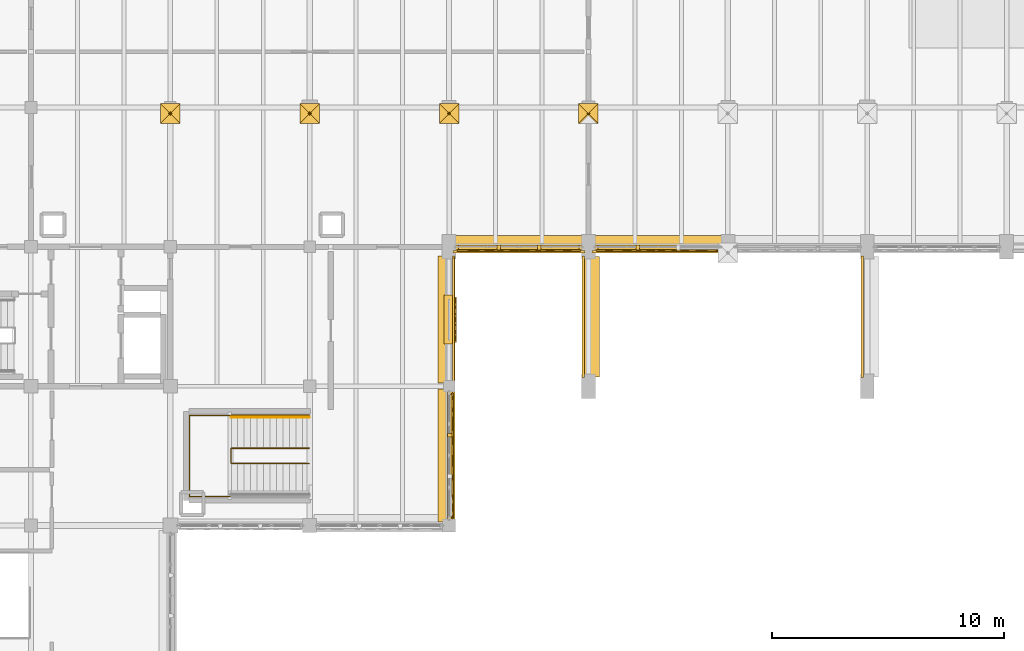
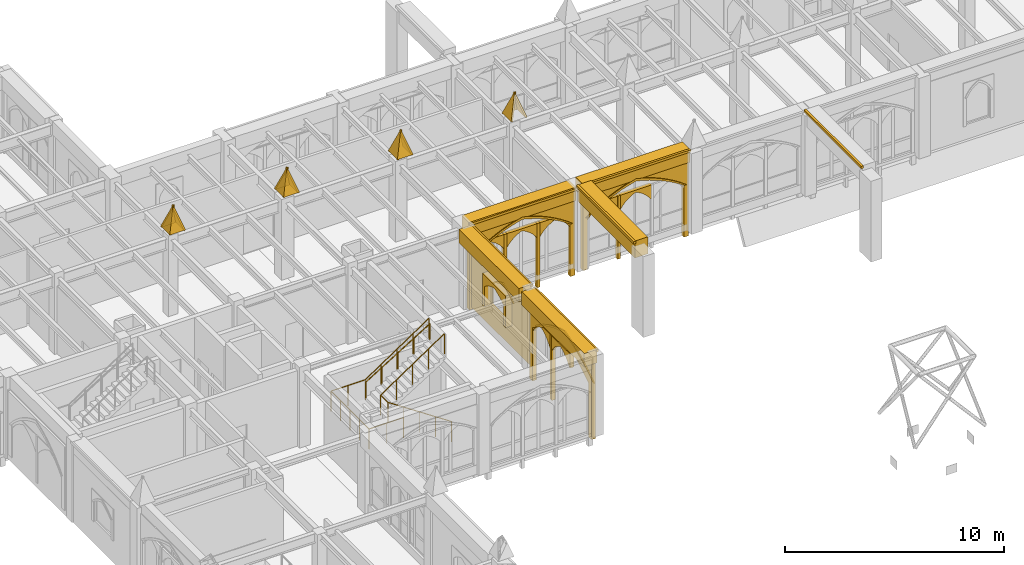
# One storey, part 130 of 143: 46 coverings, 4 railings.
"""IFC4 building model written with IfcOpenShell, lengths in metres."""

from ifc_helpers import new_model, si_unit, direction, frame, origin, origin_2d, place, context, subcontext, project, spatial, polyline, rectangle, circle, outline, extrude, material, type_object, element, save


model = new_model("IFC4")

# Units and contexts
model_context = context("Model", 3, precision=1e-05, world=origin(), true_north=direction((0.0, 1.0)))
body_context = subcontext(model_context, "Body", "Model", "MODEL_VIEW")
ifc_project = project(units=[si_unit("LENGTHUNIT", "METRE"), si_unit("AREAUNIT", "SQUARE_METRE"), si_unit("VOLUMEUNIT", "CUBIC_METRE"), si_unit("PLANEANGLEUNIT", "RADIAN"), si_unit("MASSUNIT", "GRAM", prefix="KILO")], contexts=[model_context])

# Site, building, storey
site_placement = place(None, origin())
site = spatial("IfcSite", under=ifc_project, at=site_placement, CompositionType="ELEMENT")
building_placement = place(site_placement, origin())
building = spatial("IfcBuilding", under=site, at=building_placement, Name="Cumevento Cable Car Station", CompositionType="ELEMENT")
storey_placement = place(building_placement, frame((0.0, 0.0, 9.0)))
storey = spatial("IfcBuildingStorey", under=building, at=storey_placement, Name="L03", CompositionType="ELEMENT", Elevation=9.0)

# Railings
ifc_material_1 = material(Name="Painted Galvanised Architectural Steel", Category="steel")
railing_type_1 = type_object("IfcRailingType", Name="Stair Guardrail GR-S115", PredefinedType="GUARDRAIL", material=ifc_material_1)
railing_1_placement = place(storey_placement, frame((75.97998046875, 35.669921875, 0.0)))
element("IfcRailing", 1, at=railing_1_placement, inside=storey, type_object=railing_type_1, Name="Stair Well Inner Guardrail ST-11", PredefinedType="GUARDRAIL", context=body_context, shape_type="SweptSolid", body=[
    extrude(circle(Radius=0.02392578125, at=origin_2d()), frame((0.0, 0.0, 1.1259765625), z_axis=(-0.830896709279, 0.0, 0.556426687452), x_axis=(0.0, -1.0, 0.0)), (0.0, 0.0, 1.0), 4.043701171875),
    extrude(circle(Radius=0.02392578125, at=origin_2d()), frame((-3.35986328125, 0.0, 3.3759765625), z_axis=(0.0, 1.0, 0.0), x_axis=(-1.0, 0.0, 0.0)), (0.0, 0.0, 1.0), 0.66015625),
    extrude(circle(Radius=0.02392578125, at=origin_2d()), frame((-3.35986328125, 0.66015625, 3.3759765625), z_axis=(0.830896709279, 0.0, 0.556426687452), x_axis=(0.0, 1.0, 0.0)), (0.0, 0.0, 1.0), 4.043701171875),
    extrude(circle(Radius=0.02001953125, at=origin_2d()), origin(), (0.0, 0.0, 1.0), 1.101806640625),
    extrude(circle(Radius=0.02001953125, at=origin_2d()), frame((-0.83984375, 0.0, 0.5625)), (0.0, 0.0, 1.0), 1.101806640625),
    extrude(circle(Radius=0.02001953125, at=origin_2d()), frame((-1.679931640625, 0.0, 1.125)), (0.0, 0.0, 1.0), 1.101806640625),
    extrude(circle(Radius=0.02001953125, at=origin_2d()), frame((-2.52001953125, 0.0, 1.6875)), (0.0, 0.0, 1.0), 1.101806640625),
    extrude(circle(Radius=0.02001953125, at=origin_2d()), frame((-3.35986328125, 0.0, 2.25)), (0.0, 0.0, 1.0), 1.101806640625),
    extrude(circle(Radius=0.02001953125, at=origin_2d()), frame((-3.35986328125, 0.66015625, 2.25)), (0.0, 0.0, 1.0), 1.101806640625),
    extrude(circle(Radius=0.02001953125, at=origin_2d()), frame((-2.52001953125, 0.66015625, 2.8125)), (0.0, 0.0, 1.0), 1.101806640625),
    extrude(circle(Radius=0.02001953125, at=origin_2d()), frame((-1.679931640625, 0.66015625, 3.375)), (0.0, 0.0, 1.0), 1.101806640625),
    extrude(circle(Radius=0.02001953125, at=origin_2d()), frame((-0.83984375, 0.66015625, 3.9375)), (0.0, 0.0, 1.0), 1.101806640625),
    extrude(circle(Radius=0.02001953125, at=origin_2d()), frame((0.0, 0.66015625, 4.5)), (0.0, 0.0, 1.0), 1.101806640625),
])
railing_2_placement = place(storey_placement, frame((72.6201171875, 34.260009765625, 2.25)))
element("IfcRailing", 2, at=railing_2_placement, inside=storey, type_object=railing_type_1, Name="Stair Half-Landing Guardrail ST-11", PredefinedType="GUARDRAIL", context=body_context, shape_type="SweptSolid", body=[
    extrude(circle(Radius=0.02392578125, at=origin_2d()), frame((0.0, 0.0, 1.1259765625), z_axis=(-1.0, 0.0, 0.0), x_axis=(0.0, -1.0, 0.0)), (0.0, 0.0, 1.0), 1.800048828125),
    extrude(circle(Radius=0.02392578125, at=origin_2d()), frame((-1.800048828125, 0.0, 1.1259765625), z_axis=(0.0, 1.0, 0.0), x_axis=(-1.0, 0.0, 0.0)), (0.0, 0.0, 1.0), 3.47998046875),
    extrude(circle(Radius=0.02392578125, at=origin_2d()), frame((-1.800048828125, 3.47998046875, 1.1259765625), z_axis=(1.0, 0.0, 0.0), x_axis=(0.0, 1.0, 0.0)), (0.0, 0.0, 1.0), 1.800048828125),
    extrude(circle(Radius=0.02001953125, at=origin_2d()), origin(), (0.0, 0.0, 1.0), 1.101806640625),
    extrude(circle(Radius=0.02001953125, at=origin_2d()), frame((-0.89990234375, 0.0, 0.0)), (0.0, 0.0, 1.0), 1.101806640625),
    extrude(circle(Radius=0.02001953125, at=origin_2d()), frame((-1.800048828125, 0.0, 0.0)), (0.0, 0.0, 1.0), 1.101806640625),
    extrude(circle(Radius=0.02001953125, at=origin_2d()), frame((-1.800048828125, 0.8701171875, 0.0)), (0.0, 0.0, 1.0), 1.101806640625),
    extrude(circle(Radius=0.02001953125, at=origin_2d()), frame((-1.800048828125, 1.739990234375, 0.0)), (0.0, 0.0, 1.0), 1.101806640625),
    extrude(circle(Radius=0.02001953125, at=origin_2d()), frame((-1.800048828125, 2.60986328125, 0.0)), (0.0, 0.0, 1.0), 1.101806640625),
    extrude(circle(Radius=0.02001953125, at=origin_2d()), frame((-1.800048828125, 3.47998046875, 0.0)), (0.0, 0.0, 1.0), 1.101806640625),
    extrude(circle(Radius=0.02001953125, at=origin_2d()), frame((-0.89990234375, 3.47998046875, 0.0)), (0.0, 0.0, 1.0), 1.101806640625),
    extrude(circle(Radius=0.02001953125, at=origin_2d()), frame((0.0, 3.47998046875, 0.0)), (0.0, 0.0, 1.0), 1.101806640625),
])
railing_3_placement = place(storey_placement, frame((72.6201171875, 37.739990234375, 2.25)))
element("IfcRailing", 3, at=railing_3_placement, inside=storey, type_object=railing_type_1, Name="Stair Outer Guardrail ST-11 F2", PredefinedType="GUARDRAIL", context=body_context, shape_type="SweptSolid", body=[
    extrude(circle(Radius=0.02392578125, at=origin_2d()), frame((0.0, 0.0, 1.1259765625), z_axis=(0.830896709279, 0.0, 0.556426687452), x_axis=(0.0, 1.0, 0.0)), (0.0, 0.0, 1.0), 4.043701171875),
    extrude(circle(Radius=0.02001953125, at=origin_2d()), origin(), (0.0, 0.0, 1.0), 1.101806640625),
    extrude(circle(Radius=0.02001953125, at=origin_2d()), frame((0.83984375, 0.0, 0.5625)), (0.0, 0.0, 1.0), 1.101806640625),
    extrude(circle(Radius=0.02001953125, at=origin_2d()), frame((1.679931640625, 0.0, 1.125)), (0.0, 0.0, 1.0), 1.101806640625),
    extrude(circle(Radius=0.02001953125, at=origin_2d()), frame((2.52001953125, 0.0, 1.6875)), (0.0, 0.0, 1.0), 1.101806640625),
    extrude(circle(Radius=0.02001953125, at=origin_2d()), frame((3.35986328125, 0.0, 2.25)), (0.0, 0.0, 1.0), 1.101806640625),
])
ifc_material_2 = material(Name="Brushed Stainless Steel Handrail Tube", Category="steel")
railing_type_2 = type_object("IfcRailingType", Name="Stair Handrail HR-090", PredefinedType="HANDRAIL", material=ifc_material_2)
railing_4_placement = place(storey_placement, frame((72.6201171875, 37.659912109375, 2.42626953125)))
element("IfcRailing", 4, at=railing_4_placement, inside=storey, type_object=railing_type_2, Name="Stair Pitch Handrail ST-11 F2", PredefinedType="HANDRAIL", context=body_context, shape_type="SweptSolid", body=[
    extrude(circle(Radius=0.02099609375, at=origin_2d()), frame((0.0, 0.0, 0.87890625), z_axis=(0.850606129759, 0.0, 0.525803396734), x_axis=(0.0, 1.0, 0.0)), (0.0, 0.0, 1.0), 3.949951171875),
    extrude(circle(Radius=0.01611328125, at=origin_2d()), origin(), (0.0, 0.0, 1.0), 0.85791015625),
    extrude(circle(Radius=0.01611328125, at=origin_2d()), frame((0.83984375, 0.0, 0.519287109375)), (0.0, 0.0, 1.0), 0.85791015625),
    extrude(circle(Radius=0.01611328125, at=origin_2d()), frame((1.679931640625, 0.0, 1.03857421875)), (0.0, 0.0, 1.0), 0.85791015625),
    extrude(circle(Radius=0.01611328125, at=origin_2d()), frame((2.52001953125, 0.0, 1.5576171875)), (0.0, 0.0, 1.0), 0.85791015625),
    extrude(circle(Radius=0.01611328125, at=origin_2d()), frame((3.35986328125, 0.0, 2.076904296875)), (0.0, 0.0, 1.0), 0.85791015625),
])

# Coverings
ifc_material_3 = material(Name="Gnaisse Facoidal Stone Ashlar 85 MPa", Category="masonry")
covering_type = type_object("IfcCoveringType", Name="Gnaisse Ashlar Cladding CV-CL01", PredefinedType="CLADDING", material=ifc_material_3)
for number, where, z_axis, x_axis, name in (
    (5, (69.580078125, 51.159912109375, 4.8701171875), (0.0, 0.951573760476, 0.30742052367), (1.0, 0.0, 0.0), "Gothic Buttress Pinnacle Spire Facet 1 bt:70.0:51.0"),
    (6, (70.419921875, 51.159912109375, 4.8701171875), (0.951573760476, 0.0, 0.30742052367), (0.0, -1.0, 0.0), "Gothic Buttress Pinnacle Spire Facet 2 bt:70.0:51.0"),
    (7, (70.419921875, 50.320068359375, 4.8701171875), (0.0, -0.951573760476, 0.30742052367), (-1.0, 0.0, 0.0), "Gothic Buttress Pinnacle Spire Facet 3 bt:70.0:51.0"),
    (8, (69.580078125, 50.320068359375, 4.8701171875), (-0.951573760476, 0.0, 0.30742052367), (0.0, 1.0, 0.0), "Gothic Buttress Pinnacle Spire Facet 4 bt:70.0:51.0"),
    (9, (75.580078125, 51.159912109375, 4.8701171875), (0.0, 0.951573760476, 0.30742052367), (1.0, 0.0, 0.0), "Gothic Buttress Pinnacle Spire Facet 1 bt:76.0:51.0"),
    (10, (76.419921875, 51.159912109375, 4.8701171875), (0.951573760476, 0.0, 0.30742052367), (0.0, -1.0, 0.0), "Gothic Buttress Pinnacle Spire Facet 2 bt:76.0:51.0"),
    (11, (76.419921875, 50.320068359375, 4.8701171875), (0.0, -0.951573760476, 0.30742052367), (-1.0, 0.0, 0.0), "Gothic Buttress Pinnacle Spire Facet 3 bt:76.0:51.0"),
    (12, (75.580078125, 50.320068359375, 4.8701171875), (-0.951573760476, 0.0, 0.30742052367), (0.0, 1.0, 0.0), "Gothic Buttress Pinnacle Spire Facet 4 bt:76.0:51.0"),
    (13, (81.580078125, 51.159912109375, 4.8701171875), (0.0, 0.951573760476, 0.30742052367), (1.0, 0.0, 0.0), "Gothic Buttress Pinnacle Spire Facet 1 bt:82.0:51.0"),
    (14, (82.419921875, 51.159912109375, 4.8701171875), (0.951573760476, 0.0, 0.30742052367), (0.0, -1.0, 0.0), "Gothic Buttress Pinnacle Spire Facet 2 bt:82.0:51.0"),
    (15, (82.419921875, 50.320068359375, 4.8701171875), (0.0, -0.951573760476, 0.30742052367), (-1.0, 0.0, 0.0), "Gothic Buttress Pinnacle Spire Facet 3 bt:82.0:51.0"),
    (16, (81.580078125, 50.320068359375, 4.8701171875), (-0.951573760476, 0.0, 0.30742052367), (0.0, 1.0, 0.0), "Gothic Buttress Pinnacle Spire Facet 4 bt:82.0:51.0"),
    (17, (87.580078125, 51.159912109375, 4.8701171875), (0.0, 0.951573760476, 0.30742052367), (1.0, 0.0, 0.0), "Gothic Buttress Pinnacle Spire Facet 1 bt:88.0:51.0"),
    (18, (88.419921875, 51.159912109375, 4.8701171875), (0.951573760476, 0.0, 0.30742052367), (0.0, -1.0, 0.0), "Gothic Buttress Pinnacle Spire Facet 2 bt:88.0:51.0"),
    (19, (87.580078125, 50.320068359375, 4.8701171875), (-0.951573760476, 0.0, 0.30742052367), (0.0, 1.0, 0.0), "Gothic Buttress Pinnacle Spire Facet 4 bt:88.0:51.0"),
):
    element("IfcCovering", number, at=place(storey_placement, frame(where, z_axis=z_axis, x_axis=x_axis)), inside=storey, type_object=covering_type, Name=name, PredefinedType="CLADDING", context=body_context, shape_type="SweptSolid", body=[
        extrude(outline(polyline([(0.0, 0.0), (0.83984375, 0.0), (0.419921875, -1.3659526370817139), (0.0, 0.0)])), origin(), (0.0, 0.0, -1.0), 0.0849609375),
    ])
covering_1_placement = place(storey_placement, frame((81.85009765625, 36.012451171875, 3.7490234375), z_axis=(0.0, 0.0, 1.0), x_axis=(0.0, -1.0, 0.0)))
element("IfcCovering", 20, at=covering_1_placement, inside=storey, type_object=covering_type, Name="Gothic Stone Spandrel Stringcourse sc:0614", PredefinedType="CLADDING", context=body_context, shape_type="SweptSolid", body=[
    extrude(rectangle(XDim=5.715087890625, YDim=0.659912109375, at=origin_2d()), origin(), (0.0, 0.0, 1.0), 0.7470703125),
])
covering_2_placement = place(storey_placement, frame((82.20751953125, 36.012451171875, 4.365966796875), z_axis=(0.0, 0.0, 1.0), x_axis=(0.0, -1.0, 0.0)))
element("IfcCovering", 21, at=covering_2_placement, inside=storey, type_object=covering_type, Name="Gothic Cornice Dripstone Lip sc:0614", PredefinedType="CLADDING", context=body_context, shape_type="SweptSolid", body=[
    extrude(rectangle(XDim=5.7548828125, YDim=0.114990234375, at=origin_2d()), origin(), (0.0, 0.0, 1.0), 0.1298828125),
])
covering_3_placement = place(storey_placement, frame((81.85009765625, 41.862548828125, 3.7490234375), z_axis=(0.0, 0.0, 1.0), x_axis=(0.0, -1.0, 0.0)))
element("IfcCovering", 22, at=covering_3_placement, inside=storey, type_object=covering_type, Name="Gothic Stone Spandrel Stringcourse sc:0615", PredefinedType="CLADDING", context=body_context, shape_type="SweptSolid", body=[
    extrude(rectangle(XDim=5.465087890625, YDim=0.659912109375, at=origin_2d()), origin(), (0.0, 0.0, 1.0), 0.7470703125),
])
covering_4_placement = place(storey_placement, frame((82.20751953125, 41.862548828125, 4.365966796875), z_axis=(0.0, 0.0, 1.0), x_axis=(0.0, -1.0, 0.0)))
element("IfcCovering", 23, at=covering_4_placement, inside=storey, type_object=covering_type, Name="Gothic Cornice Dripstone Lip sc:0615", PredefinedType="CLADDING", context=body_context, shape_type="SweptSolid", body=[
    extrude(rectangle(XDim=5.5048828125, YDim=0.114990234375, at=origin_2d()), origin(), (0.0, 0.0, 1.0), 0.1298828125),
])
covering_5_placement = place(storey_placement, frame((85.0, 45.14990234375, 3.7490234375), z_axis=(0.0, 0.0, 1.0), x_axis=(-1.0, 0.0, 0.0)))
element("IfcCovering", 24, at=covering_5_placement, inside=storey, type_object=covering_type, Name="Gothic Stone Spandrel Stringcourse sc:0643", PredefinedType="CLADDING", context=body_context, shape_type="SweptSolid", body=[
    extrude(rectangle(XDim=5.639892578125, YDim=0.659912109375, at=origin_2d()), origin(), (0.0, 0.0, 1.0), 0.7470703125),
])
covering_6_placement = place(storey_placement, frame((85.0, 44.79248046875, 4.365966796875), z_axis=(0.0, 0.0, 1.0), x_axis=(-1.0, 0.0, 0.0)))
element("IfcCovering", 25, at=covering_6_placement, inside=storey, type_object=covering_type, Name="Gothic Cornice Dripstone Lip sc:0643", PredefinedType="CLADDING", context=body_context, shape_type="SweptSolid", body=[
    extrude(rectangle(XDim=5.679931640625, YDim=0.114990234375, at=origin_2d()), origin(), (0.0, 0.0, 1.0), 0.1298828125),
])
covering_7_placement = place(storey_placement, frame((91.0, 45.14990234375, 3.784912109375), z_axis=(0.0, 0.0, 1.0), x_axis=(-1.0, 0.0, 0.0)))
element("IfcCovering", 26, at=covering_7_placement, inside=storey, type_object=covering_type, Name="Gothic Stone Spandrel Stringcourse sc:0647", PredefinedType="CLADDING", context=body_context, shape_type="SweptSolid", body=[
    extrude(rectangle(XDim=5.639892578125, YDim=0.659912109375, at=origin_2d()), origin(), (0.0, 0.0, 1.0), 0.7470703125),
])
covering_8_placement = place(storey_placement, frame((91.0, 44.79248046875, 4.402099609375), z_axis=(0.0, 0.0, 1.0), x_axis=(-1.0, 0.0, 0.0)))
element("IfcCovering", 27, at=covering_8_placement, inside=storey, type_object=covering_type, Name="Gothic Cornice Dripstone Lip sc:0647", PredefinedType="CLADDING", context=body_context, shape_type="SweptSolid", body=[
    extrude(rectangle(XDim=5.679931640625, YDim=0.114990234375, at=origin_2d()), origin(), (0.0, 0.0, 1.0), 0.1298828125),
])
covering_9_placement = place(storey_placement, frame((88.14306640625, 42.0, 3.83203125), z_axis=(0.0, 0.0, 1.0), x_axis=(0.0, 1.0, 0.0)))
element("IfcCovering", 28, at=covering_9_placement, inside=storey, type_object=covering_type, Name="Gothic Stone Spandrel Stringcourse sc:0868", PredefinedType="CLADDING", context=body_context, shape_type="SweptSolid", body=[
    extrude(rectangle(XDim=5.18994140625, YDim=0.674072265625, at=origin_2d()), origin(), (0.0, 0.0, 1.0), 0.947998046875),
])
for number, where, z_axis, x_axis, name in (
    (29, (87.778564453125, 42.0, 4.650146484375), (0.0, 0.0, 1.0), (0.0, 1.0, 0.0), "Gothic Cornice Dripstone Lip sc:0868"),
    (30, (99.778564453125, 42.0, 4.650146484375), (0.0, 0.0, 1.0), (0.0, 1.0, 0.0), "Gothic Cornice Dripstone Lip sc:0869"),
):
    element("IfcCovering", number, at=place(storey_placement, frame(where, z_axis=z_axis, x_axis=x_axis)), inside=storey, type_object=covering_type, Name=name, PredefinedType="CLADDING", context=body_context, shape_type="SweptSolid", body=[
        extrude(rectangle(XDim=5.22998046875, YDim=0.114990234375, at=origin_2d()), origin(), (0.0, 0.0, 1.0), 0.1298828125),
    ])
placement_1 = place(storey_placement, frame((82.0, 38.75, -0.469970703125), z_axis=(0.0, 0.0, 1.0), x_axis=(0.0, -1.0, 0.0)))
element("IfcCovering", 31, at=placement_1, inside=storey, type_object=covering_type, Name="Gothic Ogival Pointed-Arch Stone Spandrel cw_ogival:0089", PredefinedType="CLADDING", context=body_context, shape_type="SweptSolid", body=[
    extrude(outline(polyline([(-0.080078125, 0.0), (-0.080078125, 4.35888671875), (5.554931640625, 4.35888671875), (5.554931640625, 0.0), (5.31494140625, 0.0), (5.31494140625, 2.9833984375), (5.02099609375, 3.1845703125), (4.71728515625, 3.371337890625), (4.40478515625, 3.542724609375), (4.08447265625, 3.698486328125), (3.756591796875, 3.83837890625), (3.42236328125, 3.9619140625), (3.082275390625, 4.06884765625), (2.737548828125, 4.158935546875), (2.392822265625, 4.06884765625), (2.052734375, 3.9619140625), (1.718505859375, 3.83837890625), (1.390625, 3.698486328125), (1.0703125, 3.542724609375), (0.7578125, 3.371337890625), (0.4541015625, 3.1845703125), (0.159912109375, 2.9833984375), (0.159912109375, 0.0), (-0.080078125, 0.0)])), frame((0.0, 0.139892578125, 0.0), z_axis=(0.0, -1.0, 0.0), x_axis=(1.0, 0.0, 0.0)), (0.0, 0.0, 1.0), 0.219970703125),
])
covering_11_placement = place(storey_placement, frame((82.0, 38.75, 2.513427734375), z_axis=(0.0, 0.0, 1.0), x_axis=(0.0, -1.0, 0.0)))
element("IfcCovering", 32, at=covering_11_placement, inside=storey, type_object=covering_type, Name="Gothic Pointed Archivolt Hood Moulding cw_ogival:0089", PredefinedType="CLADDING", context=body_context, shape_type="SweptSolid", body=[
    extrude(outline(polyline([(0.159912109375, 0.0), (0.4541015625, 0.201171875), (0.7578125, 0.387939453125), (1.0703125, 0.559326171875), (1.390625, 0.715087890625), (1.718505859375, 0.85498046875), (2.052734375, 0.978515625), (2.392822265625, 1.08544921875), (2.737548828125, 1.175537109375), (3.082275390625, 1.08544921875), (3.42236328125, 0.978515625), (3.756591796875, 0.85498046875), (4.08447265625, 0.715087890625), (4.40478515625, 0.559326171875), (4.71728515625, 0.387939453125), (5.02099609375, 0.201171875), (5.31494140625, 0.0), (5.425048828125, 0.0), (5.12255859375, 0.22412109375), (4.80859375, 0.43212890625), (4.484130859375, 0.62353515625), (4.150146484375, 0.797607421875), (3.8076171875, 0.953857421875), (3.45751953125, 1.09228515625), (3.100341796875, 1.212158203125), (2.737548828125, 1.31298828125), (2.374755859375, 1.212158203125), (2.017578125, 1.09228515625), (1.66748046875, 0.953857421875), (1.324951171875, 0.797607421875), (0.990966796875, 0.62353515625), (0.66650390625, 0.43212890625), (0.3525390625, 0.22412109375), (0.050048828125, 0.0), (0.159912109375, 0.0)])), frame((0.0, 0.181884765625, 0.0), z_axis=(0.0, -1.0, 0.0), x_axis=(1.0, 0.0, 0.0)), (0.0, 0.0, 1.0), 0.06689453125),
])
element("IfcCovering", 33, at=placement_1, inside=storey, type_object=covering_type, Name="Gothic Bifora Stone Colonnette cw_ogival:0089 #1", PredefinedType="CLADDING", context=body_context, shape_type="SweptSolid", body=[
    extrude(outline(polyline([(1.7783203125, -0.02001953125), (1.92822265625, -0.02001953125), (1.92822265625, 3.5947265625), (1.7783203125, 3.5947265625), (1.7783203125, -0.02001953125)])), frame((0.0, 0.1279296875, 0.0), z_axis=(0.0, -1.0, 0.0), x_axis=(1.0, 0.0, 0.0)), (0.0, 0.0, 1.0), 0.205078125),
])
for number, where, z_axis, x_axis, name in (
    (34, (82.0, 38.6201171875, 2.33349609375), (0.0, 0.0, 1.0), (0.0, -1.0, 0.0), "Gothic Ogival Pointed-Arch Stone Spandrel cw_ogival:0089:sub:0"),
    (35, (82.0, 36.8515625, 2.33349609375), (0.0, 0.0, 1.0), (0.0, -1.0, 0.0), "Gothic Ogival Pointed-Arch Stone Spandrel cw_ogival:0089:sub:1"),
):
    element("IfcCovering", number, at=place(storey_placement, frame(where, z_axis=z_axis, x_axis=x_axis)), inside=storey, type_object=covering_type, Name=name, PredefinedType="CLADDING", context=body_context, shape_type="SweptSolid", body=[
        extrude(outline(polyline([(-0.02001953125, 0.0), (-0.02001953125, 0.791259765625), (1.6982421875, 0.791259765625), (1.6982421875, 0.0), (1.638427734375, 0.0), (1.53759765625, 0.1455078125), (1.422119140625, 0.279541015625), (1.29296875, 0.400390625), (1.151611328125, 0.5068359375), (0.999755859375, 0.597412109375), (0.839111328125, 0.67138671875), (0.678466796875, 0.597412109375), (0.526611328125, 0.5068359375), (0.38525390625, 0.400390625), (0.256103515625, 0.279541015625), (0.140625, 0.1455078125), (0.0400390625, 0.0), (-0.02001953125, 0.0)])), frame((0.0, 0.1240234375, 0.0), z_axis=(0.0, -1.0, 0.0), x_axis=(1.0, 0.0, 0.0)), (0.0, 0.0, 1.0), 0.199951171875),
    ])
placement_2 = place(storey_placement, frame((87.699951171875, 45.0, -0.419921875), z_axis=(0.0, 0.0, 1.0), x_axis=(-1.0, 0.0, 0.0)))
element("IfcCovering", 36, at=placement_2, inside=storey, type_object=covering_type, Name="Gothic Ogival Pointed-Arch Stone Spandrel cw_ogival:0106", PredefinedType="CLADDING", context=body_context, shape_type="SweptSolid", body=[
    extrude(outline(polyline([(-0.080078125, 0.0), (-0.080078125, 4.30908203125), (5.47998046875, 4.30908203125), (5.47998046875, 0.0), (5.239990234375, 0.0), (5.239990234375, 2.951416015625), (4.949951171875, 3.149658203125), (4.65087890625, 3.333251953125), (4.3427734375, 3.502197265625), (4.027099609375, 3.655517578125), (3.7041015625, 3.793212890625), (3.37451171875, 3.9150390625), (3.03955078125, 4.020263671875), (2.699951171875, 4.109130859375), (2.3603515625, 4.020263671875), (2.025390625, 3.9150390625), (1.69580078125, 3.793212890625), (1.372802734375, 3.655517578125), (1.05712890625, 3.502197265625), (0.7490234375, 3.333251953125), (0.449951171875, 3.149658203125), (0.159912109375, 2.951416015625), (0.159912109375, 0.0), (-0.080078125, 0.0)])), frame((0.0, 0.139892578125, 0.0), z_axis=(0.0, -1.0, 0.0), x_axis=(1.0, 0.0, 0.0)), (0.0, 0.0, 1.0), 0.219970703125),
])
covering_14_placement = place(storey_placement, frame((87.699951171875, 45.0, 2.531494140625), z_axis=(0.0, 0.0, 1.0), x_axis=(-1.0, 0.0, 0.0)))
element("IfcCovering", 37, at=covering_14_placement, inside=storey, type_object=covering_type, Name="Gothic Pointed Archivolt Hood Moulding cw_ogival:0106", PredefinedType="CLADDING", context=body_context, shape_type="SweptSolid", body=[
    extrude(outline(polyline([(0.159912109375, 0.0), (0.449951171875, 0.1982421875), (0.7490234375, 0.3818359375), (1.05712890625, 0.55078125), (1.372802734375, 0.7041015625), (1.69580078125, 0.841796875), (2.025390625, 0.963623046875), (2.3603515625, 1.06884765625), (2.699951171875, 1.15771484375), (3.03955078125, 1.06884765625), (3.37451171875, 0.963623046875), (3.7041015625, 0.841796875), (4.027099609375, 0.7041015625), (4.3427734375, 0.55078125), (4.65087890625, 0.3818359375), (4.949951171875, 0.1982421875), (5.239990234375, 0.0), (5.35009765625, 0.0), (5.051513671875, 0.220947265625), (4.741943359375, 0.42626953125), (4.422119140625, 0.614990234375), (4.0927734375, 0.78662109375), (3.755126953125, 0.94091796875), (3.40966796875, 1.077392578125), (3.0576171875, 1.195556640625), (2.699951171875, 1.295166015625), (2.34228515625, 1.195556640625), (1.990234375, 1.077392578125), (1.644775390625, 0.94091796875), (1.30712890625, 0.78662109375), (0.977783203125, 0.614990234375), (0.657958984375, 0.42626953125), (0.348388671875, 0.220947265625), (0.050048828125, 0.0), (0.159912109375, 0.0)])), frame((0.0, 0.181884765625, 0.0), z_axis=(0.0, -1.0, 0.0), x_axis=(1.0, 0.0, 0.0)), (0.0, 0.0, 1.0), 0.06689453125),
])
element("IfcCovering", 38, at=placement_2, inside=storey, type_object=covering_type, Name="Gothic Bifora Stone Colonnette cw_ogival:0106 #1", PredefinedType="CLADDING", context=body_context, shape_type="SweptSolid", body=[
    extrude(outline(polyline([(1.75341796875, -0.02001953125), (1.9033203125, -0.02001953125), (1.9033203125, 3.553466796875), (1.75341796875, 3.553466796875), (1.75341796875, -0.02001953125)])), frame((0.0, 0.1279296875, 0.0), z_axis=(0.0, -1.0, 0.0), x_axis=(1.0, 0.0, 0.0)), (0.0, 0.0, 1.0), 0.205078125),
])
element("IfcCovering", 39, at=placement_2, inside=storey, type_object=covering_type, Name="Gothic Bifora Stone Colonnette cw_ogival:0106 #2", PredefinedType="CLADDING", context=body_context, shape_type="SweptSolid", body=[
    extrude(outline(polyline([(3.49658203125, -0.02001953125), (3.646728515625, -0.02001953125), (3.646728515625, 3.553466796875), (3.49658203125, 3.553466796875), (3.49658203125, -0.02001953125)])), frame((0.0, 0.1279296875, 0.0), z_axis=(0.0, -1.0, 0.0), x_axis=(1.0, 0.0, 0.0)), (0.0, 0.0, 1.0), 0.205078125),
])
for number, where, z_axis, x_axis, name in (
    (40, (87.570068359375, 45.0, 2.351318359375), (0.0, 0.0, 1.0), (-1.0, 0.0, 0.0), "Gothic Ogival Pointed-Arch Stone Spandrel cw_ogival:0106:sub:0"),
    (41, (85.82666015625, 45.0, 2.351318359375), (0.0, 0.0, 1.0), (-1.0, 0.0, 0.0), "Gothic Ogival Pointed-Arch Stone Spandrel cw_ogival:0106:sub:1"),
    (42, (84.083251953125, 45.0, 2.351318359375), (0.0, 0.0, 1.0), (-1.0, 0.0, 0.0), "Gothic Ogival Pointed-Arch Stone Spandrel cw_ogival:0106:sub:2"),
):
    element("IfcCovering", number, at=place(storey_placement, frame(where, z_axis=z_axis, x_axis=x_axis)), inside=storey, type_object=covering_type, Name=name, PredefinedType="CLADDING", context=body_context, shape_type="SweptSolid", body=[
        extrude(outline(polyline([(-0.02001953125, 0.0), (-0.02001953125, 0.781982421875), (1.67333984375, 0.781982421875), (1.67333984375, 0.0), (1.61328125, 0.0), (1.514404296875, 0.1435546875), (1.40087890625, 0.275634765625), (1.273681640625, 0.394775390625), (1.134521484375, 0.499755859375), (0.98486328125, 0.589111328125), (0.82666015625, 0.662109375), (0.66845703125, 0.589111328125), (0.518798828125, 0.499755859375), (0.379638671875, 0.394775390625), (0.25244140625, 0.275634765625), (0.138916015625, 0.1435546875), (0.0400390625, 0.0), (-0.02001953125, 0.0)])), frame((0.0, 0.1240234375, 0.0), z_axis=(0.0, -1.0, 0.0), x_axis=(1.0, 0.0, 0.0)), (0.0, 0.0, 1.0), 0.199951171875),
    ])
placement_3 = place(storey_placement, frame((93.699951171875, 45.0, -0.320068359375), z_axis=(0.0, 0.0, 1.0), x_axis=(-1.0, 0.0, 0.0)))
element("IfcCovering", 43, at=placement_3, inside=storey, type_object=covering_type, Name="Gothic Ogival Pointed-Arch Stone Spandrel cw_ogival:0108", PredefinedType="CLADDING", context=body_context, shape_type="SweptSolid", body=[
    extrude(outline(polyline([(-0.080078125, 0.0), (-0.080078125, 4.2451171875), (5.47998046875, 4.2451171875), (5.47998046875, 0.0), (5.239990234375, 0.0), (5.239990234375, 2.910400390625), (4.948974609375, 3.104736328125), (4.649169921875, 3.284912109375), (4.3408203125, 3.450439453125), (4.02490234375, 3.600830078125), (3.7021484375, 3.73583984375), (3.373046875, 3.85498046875), (3.038818359375, 3.9580078125), (2.699951171875, 4.044921875), (2.361083984375, 3.9580078125), (2.02685546875, 3.85498046875), (1.69775390625, 3.73583984375), (1.375, 3.600830078125), (1.05908203125, 3.450439453125), (0.750732421875, 3.284912109375), (0.450927734375, 3.104736328125), (0.159912109375, 2.910400390625), (0.159912109375, 0.0), (-0.080078125, 0.0)])), frame((0.0, 0.139892578125, 0.0), z_axis=(0.0, -1.0, 0.0), x_axis=(1.0, 0.0, 0.0)), (0.0, 0.0, 1.0), 0.219970703125),
])
covering_18_placement = place(storey_placement, frame((93.699951171875, 45.0, 2.59033203125), z_axis=(0.0, 0.0, 1.0), x_axis=(-1.0, 0.0, 0.0)))
element("IfcCovering", 44, at=covering_18_placement, inside=storey, type_object=covering_type, Name="Gothic Pointed Archivolt Hood Moulding cw_ogival:0108", PredefinedType="CLADDING", context=body_context, shape_type="SweptSolid", body=[
    extrude(outline(polyline([(0.159912109375, 0.0), (0.450927734375, 0.1943359375), (0.750732421875, 0.37451171875), (1.05908203125, 0.5400390625), (1.375, 0.6904296875), (1.69775390625, 0.825439453125), (2.02685546875, 0.944580078125), (2.361083984375, 1.047607421875), (2.699951171875, 1.134521484375), (3.038818359375, 1.047607421875), (3.373046875, 0.944580078125), (3.7021484375, 0.825439453125), (4.02490234375, 0.6904296875), (4.3408203125, 0.5400390625), (4.649169921875, 0.37451171875), (4.948974609375, 0.1943359375), (5.239990234375, 0.0), (5.35009765625, 0.0), (5.050537109375, 0.21728515625), (4.740234375, 0.4189453125), (4.419921875, 0.604248046875), (4.090576171875, 0.77294921875), (3.7529296875, 0.92431640625), (3.408203125, 1.058349609375), (3.056640625, 1.17431640625), (2.699951171875, 1.272216796875), (2.34326171875, 1.17431640625), (1.99169921875, 1.058349609375), (1.64697265625, 0.92431640625), (1.309326171875, 0.77294921875), (0.97998046875, 0.604248046875), (0.65966796875, 0.4189453125), (0.349365234375, 0.21728515625), (0.050048828125, 0.0), (0.159912109375, 0.0)])), frame((0.0, 0.181884765625, 0.0), z_axis=(0.0, -1.0, 0.0), x_axis=(1.0, 0.0, 0.0)), (0.0, 0.0, 1.0), 0.06689453125),
])
element("IfcCovering", 45, at=placement_3, inside=storey, type_object=covering_type, Name="Gothic Bifora Stone Colonnette cw_ogival:0108 #2", PredefinedType="CLADDING", context=body_context, shape_type="SweptSolid", body=[
    extrude(outline(polyline([(3.49658203125, -0.02001953125), (3.646728515625, -0.02001953125), (3.646728515625, 3.50048828125), (3.49658203125, 3.50048828125), (3.49658203125, -0.02001953125)])), frame((0.0, 0.1279296875, 0.0), z_axis=(0.0, -1.0, 0.0), x_axis=(1.0, 0.0, 0.0)), (0.0, 0.0, 1.0), 0.205078125),
])
for number, where, z_axis, x_axis, name in (
    (46, (91.82666015625, 45.0, 2.410400390625), (0.0, 0.0, 1.0), (-1.0, 0.0, 0.0), "Gothic Ogival Pointed-Arch Stone Spandrel cw_ogival:0108:sub:1"),
    (47, (90.083251953125, 45.0, 2.410400390625), (0.0, 0.0, 1.0), (-1.0, 0.0, 0.0), "Gothic Ogival Pointed-Arch Stone Spandrel cw_ogival:0108:sub:2"),
):
    element("IfcCovering", number, at=place(storey_placement, frame(where, z_axis=z_axis, x_axis=x_axis)), inside=storey, type_object=covering_type, Name=name, PredefinedType="CLADDING", context=body_context, shape_type="SweptSolid", body=[
        extrude(outline(polyline([(-0.02001953125, 0.0), (-0.02001953125, 0.77001953125), (1.67333984375, 0.77001953125), (1.67333984375, 0.0), (1.61328125, 0.0), (1.513427734375, 0.14111328125), (1.3994140625, 0.27099609375), (1.27197265625, 0.387939453125), (1.133056640625, 0.490966796875), (0.984130859375, 0.57861328125), (0.82666015625, 0.64990234375), (0.669189453125, 0.57861328125), (0.520263671875, 0.490966796875), (0.38134765625, 0.387939453125), (0.25390625, 0.27099609375), (0.139892578125, 0.14111328125), (0.0400390625, 0.0), (-0.02001953125, 0.0)])), frame((0.0, 0.1240234375, 0.0), z_axis=(0.0, -1.0, 0.0), x_axis=(1.0, 0.0, 0.0)), (0.0, 0.0, 1.0), 0.199951171875),
    ])
covering_20_placement = place(storey_placement, frame((82.0, 44.47509765625, 0.0), z_axis=(0.0, 0.0, 1.0), x_axis=(0.0, -1.0, 0.0)))
element("IfcCovering", 48, at=covering_20_placement, inside=storey, type_object=covering_type, Name="Exterior Gnaisse Stone Wall Ashlar #234", PredefinedType="CLADDING", context=body_context, shape_type="SweptSolid", body=[
    extrude(outline(polyline([(-0.0400390625, -0.02001953125), (5.264892578125, -0.02001953125), (5.264892578125, 3.8291015625), (-0.0400390625, 3.8291015625), (-0.0400390625, -0.02001953125)]), holes=[polyline([(1.74755859375, 1.260009765625), (3.4775390625, 1.260009765625), (3.4775390625, 2.739990234375), (1.74755859375, 2.739990234375), (1.74755859375, 1.260009765625)])]), frame((0.0, 0.222412109375, 0.0), z_axis=(0.0, -1.0, 0.0), x_axis=(1.0, 0.0, 0.0)), (0.0, 0.0, 1.0), 0.0849609375),
])
covering_21_placement = place(storey_placement, frame((82.0, 42.87744140625, 1.199951171875), z_axis=(0.0, 0.0, 1.0), x_axis=(0.0, -1.0, 0.0)))
element("IfcCovering", 49, at=covering_21_placement, inside=storey, type_object=covering_type, Name="Gothic Ogival Pointed-Arch Stone Spandrel op_ogival:0234:1", PredefinedType="CLADDING", context=body_context, shape_type="SweptSolid", body=[
    extrude(outline(polyline([(-0.0400390625, 0.0), (-0.0400390625, 1.77001953125), (2.070068359375, 1.77001953125), (2.070068359375, 0.0), (1.889892578125, 0.0), (1.889892578125, 1.1298828125), (1.77880859375, 1.218994140625), (1.662353515625, 1.30078125), (1.540771484375, 1.375), (1.414794921875, 1.44091796875), (1.28466796875, 1.4990234375), (1.1513671875, 1.548828125), (1.014892578125, 1.590087890625), (0.878662109375, 1.548828125), (0.745361328125, 1.4990234375), (0.615234375, 1.44091796875), (0.4892578125, 1.375), (0.36767578125, 1.30078125), (0.251220703125, 1.218994140625), (0.139892578125, 1.1298828125), (0.139892578125, 0.0), (-0.0400390625, 0.0)])), frame((0.0, 0.260498046875, 0.0), z_axis=(0.0, -1.0, 0.0), x_axis=(1.0, 0.0, 0.0)), (0.0, 0.0, 1.0), 0.47509765625),
])
covering_22_placement = place(storey_placement, frame((82.0, 42.87744140625, 2.330078125), z_axis=(0.0, 0.0, 1.0), x_axis=(0.0, -1.0, 0.0)))
element("IfcCovering", 50, at=covering_22_placement, inside=storey, type_object=covering_type, Name="Gothic Pointed Archivolt Hood Moulding op_ogival:0234:1", PredefinedType="CLADDING", context=body_context, shape_type="SweptSolid", body=[
    extrude(outline(polyline([(0.139892578125, 0.0), (0.251220703125, 0.0888671875), (0.36767578125, 0.170654296875), (0.4892578125, 0.244873046875), (0.615234375, 0.31103515625), (0.745361328125, 0.369140625), (0.878662109375, 0.4189453125), (1.014892578125, 0.4599609375), (1.1513671875, 0.4189453125), (1.28466796875, 0.369140625), (1.414794921875, 0.31103515625), (1.540771484375, 0.244873046875), (1.662353515625, 0.170654296875), (1.77880859375, 0.0888671875), (1.889892578125, 0.0), (1.989013671875, 0.0), (1.869384765625, 0.112060546875), (1.7421875, 0.21533203125), (1.60791015625, 0.309326171875), (1.467529296875, 0.3935546875), (1.3212890625, 0.467529296875), (1.170166015625, 0.531005859375), (1.014892578125, 0.583740234375), (0.85986328125, 0.531005859375), (0.708740234375, 0.467529296875), (0.5625, 0.3935546875), (0.422119140625, 0.309326171875), (0.287841796875, 0.21533203125), (0.16064453125, 0.112060546875), (0.041015625, 0.0), (0.139892578125, 0.0)])), frame((0.0, 0.302490234375, 0.0), z_axis=(0.0, -1.0, 0.0), x_axis=(1.0, 0.0, 0.0)), (0.0, 0.0, 1.0), 0.06689453125),
])

save(model, "model.ifc")
